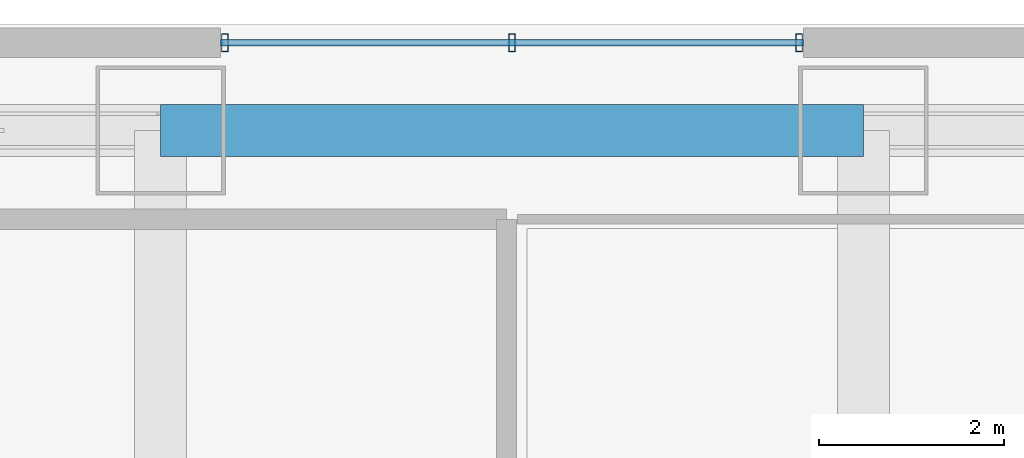
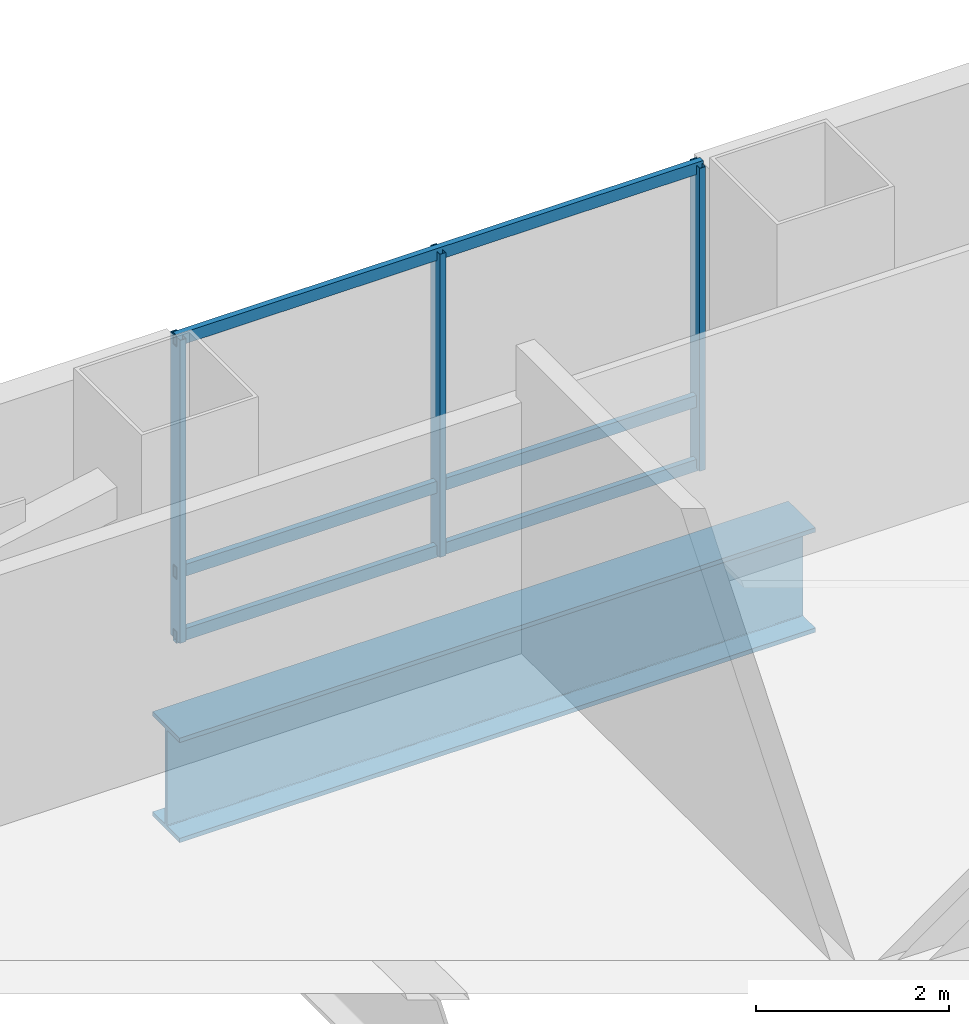
# One storey, part 6 of 27: 6 members, 1 beam, 1 element without a shape of its own.
"""IFC4 building model written with IfcOpenShell, lengths in metres."""

from ifc_helpers import new_model, si_unit, direction, frame, origin, origin_2d, place, context, subcontext, project, spatial, hollow_rectangle, i_section, extrude, material, material_profile, profile_set, type_object, element, aggregate, save


model = new_model("IFC4")

# Units and contexts
model_context = context("Model", 3, precision=1e-05, world=origin(), true_north=direction((0.0, 1.0)))
body_context = subcontext(model_context, "Body", "Model", "MODEL_VIEW")
ifc_project = project(units=[si_unit("LENGTHUNIT", "METRE"), si_unit("AREAUNIT", "SQUARE_METRE"), si_unit("VOLUMEUNIT", "CUBIC_METRE"), si_unit("PLANEANGLEUNIT", "RADIAN"), si_unit("MASSUNIT", "GRAM", prefix="KILO")], contexts=[model_context])

# Site, building, storey
site_placement = place(None, origin())
site = spatial("IfcSite", under=ifc_project, at=site_placement, CompositionType="ELEMENT")
building_placement = place(site_placement, origin())
building = spatial("IfcBuilding", under=site, at=building_placement, Name="Punatoya Terracotta Tower", CompositionType="ELEMENT")
storey_placement = place(building_placement, frame((0.0, 0.0, 204.60009765625)))
storey = spatial("IfcBuildingStorey", under=building, at=storey_placement, Name="L48", CompositionType="ELEMENT", Elevation=204.60009765625)

# Beam
ifc_material_1 = material(Name="Steel S460", Category="steel")
ifc_material_profile_1 = material_profile(ifc_material_1, i_section(OverallWidth=0.56005859375, OverallDepth=1.320068359375, WebThickness=0.035888671875, FlangeThickness=0.054931640625, FilletRadius=0.01806640625, at=origin_2d()))
ifc_profile_set_1 = profile_set([ifc_material_profile_1], Name="Steel S460")
beam_type = type_object("IfcBeamType", Name="BM-TG-BLK", PredefinedType="BEAM", material=ifc_profile_set_1)
beam_placement = place(storey_placement, frame((-3.800048828125, 17.5, -0.940185546875), z_axis=(1.0, 0.0, 0.0), x_axis=(0.0, 1.0, 0.0)))
element("IfcBeam", 1, at=beam_placement, inside=storey, type_object=beam_type, Name="BM-L48-RG-N2", PredefinedType="BEAM", context=body_context, shape_type="SweptSolid", body=[
    extrude(i_section(OverallWidth=0.56005859375, OverallDepth=1.320068359375, WebThickness=0.035888671875, FlangeThickness=0.054931640625, FilletRadius=0.01806640625, at=origin_2d()), origin(), (0.0, 0.0, 1.0), 7.60009765625),
])

# Curtain wall, members
ifc_material_2 = material(Name="Aluminium 6063-T6 + Double Low-E Glass", Category="aluminium")
curtain_wall_type = type_object("IfcCurtainWallType", Name="CW-M2", PredefinedType="NOTDEFINED", material=ifc_material_2)
curtain_wall_placement = place(storey_placement, origin())
curtain_wall = element("IfcCurtainWall", 2, at=curtain_wall_placement, inside=storey, type_object=curtain_wall_type, Name="L48 Curtain Wall CW-L48-N09-1", PredefinedType="NOTDEFINED")
ifc_material_3 = material(Name="Aluminium 6063-T6", Category="aluminium")
ifc_material_profile_2 = material_profile(ifc_material_3, hollow_rectangle(XDim=0.072021484375, YDim=0.195068359375, WallThickness=0.00439453125, at=origin_2d()))
ifc_profile_set_2 = profile_set([ifc_material_profile_2], Name="Aluminium 6063-T6")
member_type_1 = type_object("IfcMemberType", Name="CW-MUL-M2", PredefinedType="MULLION", material=ifc_profile_set_2)
member_1_placement = place(storey_placement, frame((3.10498046875, 18.449951171875, 0.0), z_axis=(0.0, 0.0, 1.0), x_axis=(1.0, 0.0, 0.0)))
member_1 = element("IfcMember", 3, at=member_1_placement, type_object=member_type_1, Name="CW-L48-N09-1 Mullion 00", PredefinedType="MULLION", context=body_context, shape_type="SweptSolid", body=[
    extrude(hollow_rectangle(XDim=0.072021484375, YDim=0.195068359375, WallThickness=0.00439453125, at=origin_2d()), origin(), (0.0, 0.0, 1.0), 3.829833984375),
])
member_2_placement = place(storey_placement, frame((0.0, 18.449951171875, 0.0), z_axis=(0.0, 0.0, 1.0), x_axis=(1.0, 0.0, 0.0)))
member_2 = element("IfcMember", 4, at=member_2_placement, type_object=member_type_1, Name="CW-L48-N09-1 Mullion 01", PredefinedType="MULLION", context=body_context, shape_type="SweptSolid", body=[
    extrude(hollow_rectangle(XDim=0.072021484375, YDim=0.195068359375, WallThickness=0.00439453125, at=origin_2d()), origin(), (0.0, 0.0, 1.0), 3.829833984375),
])
member_3_placement = place(storey_placement, frame((-3.10498046875, 18.449951171875, 0.0), z_axis=(0.0, 0.0, 1.0), x_axis=(1.0, 0.0, 0.0)))
member_3 = element("IfcMember", 5, at=member_3_placement, type_object=member_type_1, Name="CW-L48-N09-1 Mullion 02", PredefinedType="MULLION", context=body_context, shape_type="SweptSolid", body=[
    extrude(hollow_rectangle(XDim=0.072021484375, YDim=0.195068359375, WallThickness=0.00439453125, at=origin_2d()), origin(), (0.0, 0.0, 1.0), 3.829833984375),
])
ifc_material_profile_3 = material_profile(ifc_material_3, hollow_rectangle(XDim=0.068115234375, YDim=0.14990234375, WallThickness=0.00390625, at=origin_2d()))
ifc_profile_set_3 = profile_set([ifc_material_profile_3], Name="Aluminium 6063-T6")
member_type_2 = type_object("IfcMemberType", Name="CW-TRN-TYP", PredefinedType="USERDEFINED", material=ifc_profile_set_3)
member_4_placement = place(storey_placement, frame((3.14990234375, 18.449951171875, 0.039794921875), z_axis=(-1.0, 0.0, 0.0), x_axis=(0.0, -1.0, 0.0)))
member_4 = element("IfcMember", 6, at=member_4_placement, type_object=member_type_2, Name="CW-L48-N09-1 Transom 1", ObjectType="TRANSOM", PredefinedType="USERDEFINED", context=body_context, shape_type="SweptSolid", body=[
    extrude(hollow_rectangle(XDim=0.068115234375, YDim=0.14990234375, WallThickness=0.00390625, at=origin_2d()), origin(), (0.0, 0.0, 1.0), 6.2998046875),
])
member_5_placement = place(storey_placement, frame((3.14990234375, 18.449951171875, 0.849853515625), z_axis=(-1.0, 0.0, 0.0), x_axis=(0.0, -1.0, 0.0)))
member_5 = element("IfcMember", 7, at=member_5_placement, type_object=member_type_2, Name="CW-L48-N09-1 Transom 2", ObjectType="TRANSOM", PredefinedType="USERDEFINED", context=body_context, shape_type="SweptSolid", body=[
    extrude(hollow_rectangle(XDim=0.068115234375, YDim=0.14990234375, WallThickness=0.00390625, at=origin_2d()), origin(), (0.0, 0.0, 1.0), 6.2998046875),
])
member_6_placement = place(storey_placement, frame((3.14990234375, 18.449951171875, 3.789794921875), z_axis=(-1.0, 0.0, 0.0), x_axis=(0.0, -1.0, 0.0)))
member_6 = element("IfcMember", 8, at=member_6_placement, type_object=member_type_2, Name="CW-L48-N09-1 Transom 3", ObjectType="TRANSOM", PredefinedType="USERDEFINED", context=body_context, shape_type="SweptSolid", body=[
    extrude(hollow_rectangle(XDim=0.068115234375, YDim=0.14990234375, WallThickness=0.00390625, at=origin_2d()), origin(), (0.0, 0.0, 1.0), 6.2998046875),
])
aggregate(curtain_wall, [member_1, member_2, member_3, member_4, member_5, member_6])

save(model, "model.ifc")
